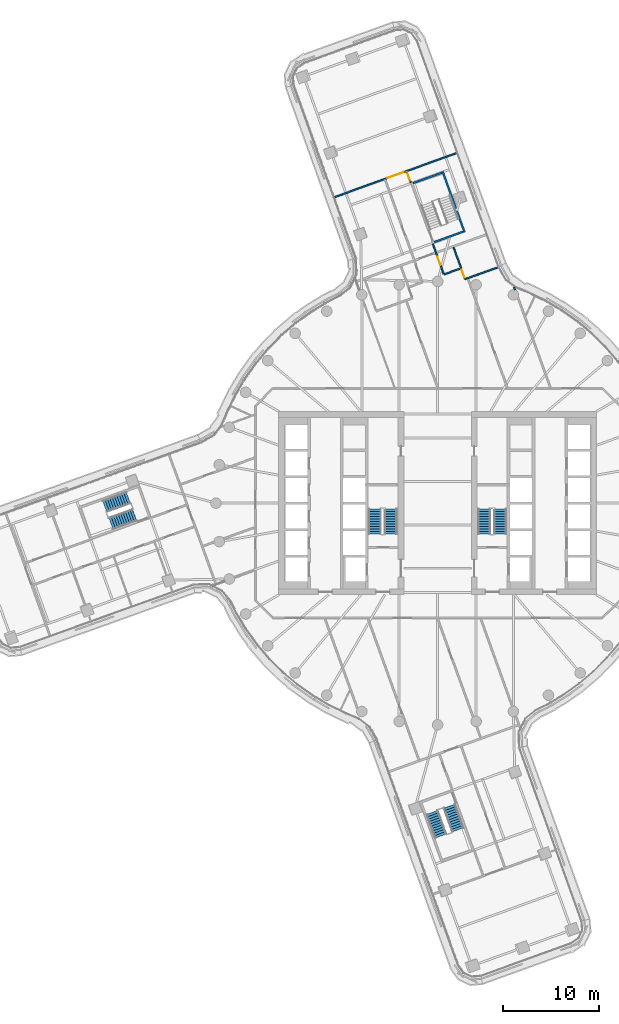
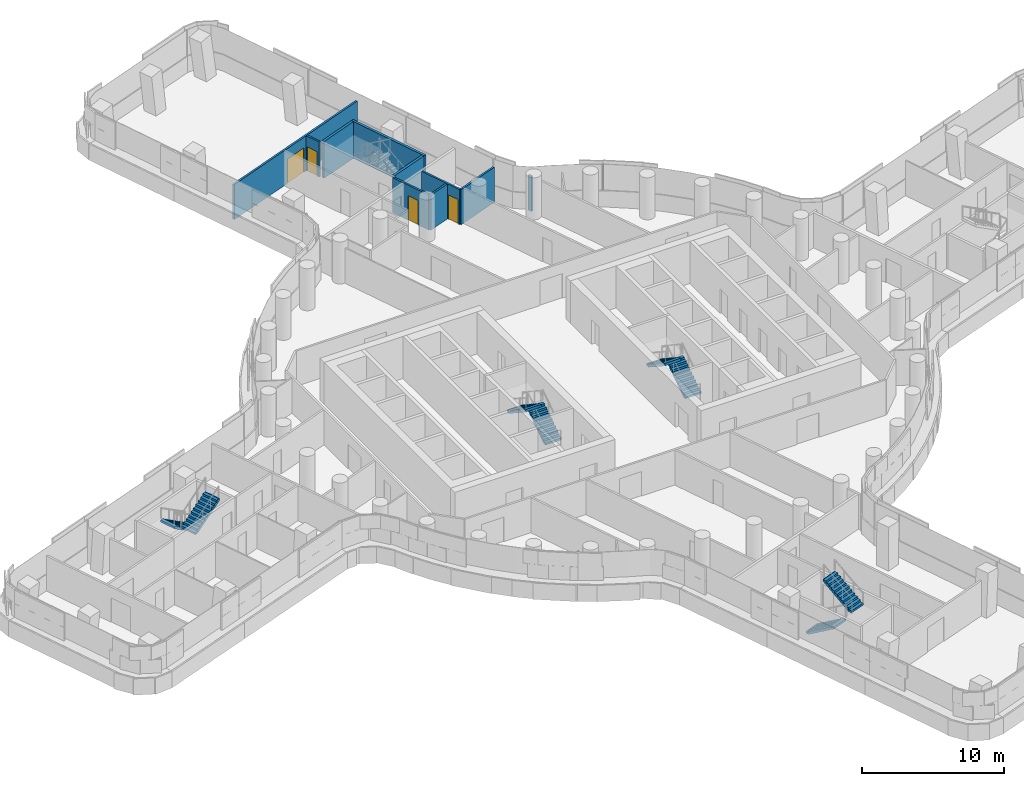
# One storey, part 22 of 30: 10 walls, 8 stair flights, 4 doors, 4 openings, 4 elements without a shape of their own.
"""IFC4 building model written with IfcOpenShell, lengths in metres."""

from ifc_helpers import new_model, si_unit, direction, frame, frame_2d, origin, place, context, subcontext, project, spatial, polyline, rectangle, outline, extrude, material, layer, layer_set, type_object, element, fill, aggregate, save


model = new_model("IFC4")

# Units and contexts
model_context = context("Model", 3, precision=1e-05, world=origin(), true_north=direction((0.0, 1.0)))
body_context = subcontext(model_context, "Body", "Model", "MODEL_VIEW")
ifc_project = project(units=[si_unit("LENGTHUNIT", "METRE"), si_unit("AREAUNIT", "SQUARE_METRE"), si_unit("VOLUMEUNIT", "CUBIC_METRE"), si_unit("PLANEANGLEUNIT", "RADIAN"), si_unit("MASSUNIT", "GRAM", prefix="KILO")], contexts=[model_context])

# Site, building, storey
site_placement = place(None, origin())
site = spatial("IfcSite", under=ifc_project, at=site_placement, CompositionType="ELEMENT")
building_placement = place(site_placement, origin())
building = spatial("IfcBuilding", under=site, at=building_placement, Name="Tamarind Cross Interchange Tower", CompositionType="ELEMENT")
storey_placement = place(building_placement, frame((0.0, 0.0, 106.0)))
storey = spatial("IfcBuildingStorey", under=building, at=storey_placement, Name="L25", CompositionType="ELEMENT", Elevation=106.0)

# Wall, opening, door
ifc_material_1 = material(Name="Gypsum board partition on steel studs", Category="steel")
ifc_layer_1 = layer(ifc_material_1, 0.14990234375)
ifc_layer_set_1 = layer_set([ifc_layer_1], Name="Gypsum board partition on steel studs")
wall_type_1 = type_object("IfcWallType", Name="Partition 150 mm EI 120", PredefinedType="PARTITIONING", material=ifc_layer_set_1)
wall_1_placement = place(storey_placement, frame((-3.19091796875, 34.371826171875, 0.0), z_axis=(0.0, 0.0, 1.0), x_axis=(0.339583478556, -0.940575919898, 0.0)))
wall_1 = element("IfcWall", 1, at=wall_1_placement, inside=storey, type_object=wall_type_1, Name="Partition L25-018", PredefinedType="PARTITIONING", context=body_context, shape_type="SweptSolid", body=[
    extrude(rectangle(XDim=1.180419921875, YDim=0.14990234375, at=frame_2d((0.59033203125, 0.0))), origin(), (0.0, 0.0, 1.0), 3.010009765625),
])
opening_1_placement = place(wall_1_placement, frame((0.070068359375, 0.0, 0.0)))
opening_1 = element("IfcOpeningElement", 2, at=opening_1_placement, cuts=wall_1, Name="Opening D08", PredefinedType="OPENING", context=body_context, shape_type="SweptSolid", body=[
    extrude(rectangle(XDim=0.89990234375, YDim=2.10009765625, at=frame_2d((0.449951171875, 1.050048828125))), frame((0.0, 0.0849609375, 0.0), z_axis=(0.0, -1.0, 0.0), x_axis=(1.0, 0.0, 0.0)), (0.0, 0.0, 1.0), 0.169921875),
])
ifc_material_2 = material(Name="Fire-resisting door set")
door_type_1 = type_object("IfcDoorType", Name="Interior door 900 x 2100 FD60S", OperationType="SINGLE_SWING_LEFT", PredefinedType="DOOR", material=ifc_material_2)
door_1_placement = place(opening_1_placement, origin())
door_1 = element("IfcDoor", 3, at=door_1_placement, inside=storey, type_object=door_type_1, Name="Door D08", OperationType="SINGLE_SWING_RIGHT", OverallHeight=2.10009765625, OverallWidth=0.89990234375, PredefinedType="DOOR", context=body_context, shape_type="SweptSolid", body=[
    extrude(rectangle(XDim=0.89990234375, YDim=2.10009765625, at=frame_2d((0.449951171875, 1.050048828125))), frame((0.0, 0.02490234375, 0.0), z_axis=(0.0, -1.0, 0.0), x_axis=(1.0, 0.0, 0.0)), (0.0, 0.0, 1.0), 0.050048828125),
])
fill(opening_1, door_1)

wall_2_placement = place(storey_placement, frame((-0.48779296875, 26.884033203125, 0.0), z_axis=(0.0, 0.0, 1.0), x_axis=(0.339611586075, -0.940565771546, 0.0)))
wall_2 = element("IfcWall", 4, at=wall_2_placement, inside=storey, type_object=wall_type_1, Name="Partition L25-019", PredefinedType="PARTITIONING", context=body_context, shape_type="SweptSolid", body=[
    extrude(rectangle(XDim=3.28466796875, YDim=0.14990234375, at=frame_2d((1.642333984375, 0.0))), origin(), (0.0, 0.0, 1.0), 3.010009765625),
])
opening_2_placement = place(wall_2_placement, frame((1.4091796875, 0.0, 0.0)))
opening_2 = element("IfcOpeningElement", 5, at=opening_2_placement, cuts=wall_2, Name="Opening D09", PredefinedType="OPENING", context=body_context, shape_type="SweptSolid", body=[
    extrude(rectangle(XDim=0.89990234375, YDim=2.10009765625, at=frame_2d((0.449951171875, 1.050048828125))), frame((0.0, 0.0849609375, 0.0), z_axis=(0.0, -1.0, 0.0), x_axis=(1.0, 0.0, 0.0)), (0.0, 0.0, 1.0), 0.169921875),
])
door_2_placement = place(opening_2_placement, origin())
door_2 = element("IfcDoor", 6, at=door_2_placement, inside=storey, type_object=door_type_1, Name="Door D09", OperationType="SINGLE_SWING_LEFT", OverallHeight=2.10009765625, OverallWidth=0.89990234375, PredefinedType="DOOR", context=body_context, shape_type="SweptSolid", body=[
    extrude(rectangle(XDim=0.89990234375, YDim=2.10009765625, at=frame_2d((0.449951171875, 1.050048828125))), frame((0.0, 0.02490234375, 0.0), z_axis=(0.0, -1.0, 0.0), x_axis=(1.0, 0.0, 0.0)), (0.0, 0.0, 1.0), 0.050048828125),
])
fill(opening_2, door_2)

wall_3_placement = place(storey_placement, frame((1.658935546875, 26.532958984375, 0.0), z_axis=(0.0, 0.0, 1.0), x_axis=(0.339618604602, -0.940563237326, 0.0)))
wall_3 = element("IfcWall", 7, at=wall_3_placement, inside=storey, type_object=wall_type_1, Name="Partition L25-024", PredefinedType="PARTITIONING", context=body_context, shape_type="SweptSolid", body=[
    extrude(rectangle(XDim=3.47998046875, YDim=0.14990234375, at=frame_2d((1.739990234375, 0.0))), origin(), (0.0, 0.0, 1.0), 3.010009765625),
])
opening_3_placement = place(wall_3_placement, frame((2.44970703125, 0.0, 0.0)))
opening_3 = element("IfcOpeningElement", 8, at=opening_3_placement, cuts=wall_3, Name="Opening D12", PredefinedType="OPENING", context=body_context, shape_type="SweptSolid", body=[
    extrude(rectangle(XDim=0.89990234375, YDim=2.10009765625, at=frame_2d((0.449951171875, 1.050048828125))), frame((0.0, 0.0849609375, 0.0), z_axis=(0.0, -1.0, 0.0), x_axis=(1.0, 0.0, 0.0)), (0.0, 0.0, 1.0), 0.169921875),
])
door_3_placement = place(opening_3_placement, origin())
door_3 = element("IfcDoor", 9, at=door_3_placement, inside=storey, type_object=door_type_1, Name="Door D12", OperationType="SINGLE_SWING_LEFT", OverallHeight=2.10009765625, OverallWidth=0.89990234375, PredefinedType="DOOR", context=body_context, shape_type="SweptSolid", body=[
    extrude(rectangle(XDim=0.89990234375, YDim=2.10009765625, at=frame_2d((0.449951171875, 1.050048828125))), frame((0.0, 0.02490234375, 0.0), z_axis=(0.0, -1.0, 0.0), x_axis=(1.0, 0.0, 0.0)), (0.0, 0.0, 1.0), 0.050048828125),
])
fill(opening_3, door_3)

# Wall
wall_4_placement = place(storey_placement, frame((7.93017578125, 22.41455078125, 0.0), z_axis=(0.0, 0.0, 1.0), x_axis=(0.339939970845, -0.940447136325, 0.0)))
element("IfcWall", 10, at=wall_4_placement, inside=storey, type_object=wall_type_1, Name="Partition L25-029", PredefinedType="PARTITIONING", context=body_context, shape_type="SweptSolid", body=[
    extrude(rectangle(XDim=0.304443359375, YDim=0.14990234375, at=frame_2d((0.15234375, 0.0))), origin(), (0.0, 0.0, 1.0), 3.010009765625),
])

# Wall, opening, door
wall_5_placement = place(storey_placement, frame((-10.66552734375, 31.75830078125, 0.0), z_axis=(0.0, 0.0, 1.0), x_axis=(0.940584090627, 0.339560846476, 0.0)))
wall_5 = element("IfcWall", 11, at=wall_5_placement, inside=storey, type_object=wall_type_1, Name="Partition L25-052", PredefinedType="PARTITIONING", context=body_context, shape_type="SweptSolid", body=[
    extrude(rectangle(XDim=13.4169921875, YDim=0.14990234375, at=frame_2d((6.70849609375, 0.0))), origin(), (0.0, 0.0, 1.0), 3.010009765625),
])
opening_4_placement = place(wall_5_placement, frame((5.818359375, 0.0, 0.0)))
opening_4 = element("IfcOpeningElement", 12, at=opening_4_placement, cuts=wall_5, Name="Opening D30", PredefinedType="OPENING", context=body_context, shape_type="SweptSolid", body=[
    extrude(rectangle(XDim=1.800048828125, YDim=2.10009765625, at=frame_2d((0.89990234375, 1.050048828125))), frame((0.0, 0.0849609375, 0.0), z_axis=(0.0, -1.0, 0.0), x_axis=(1.0, 0.0, 0.0)), (0.0, 0.0, 1.0), 0.169921875),
])
door_type_2 = type_object("IfcDoorType", Name="Interior door 1800 x 2100 FD60S", OperationType="DOUBLE_DOOR_SINGLE_SWING", PredefinedType="DOOR", material=ifc_material_2)
door_4_placement = place(opening_4_placement, origin())
door_4 = element("IfcDoor", 13, at=door_4_placement, inside=storey, type_object=door_type_2, Name="Door D30", OperationType="DOUBLE_DOOR_SINGLE_SWING", OverallHeight=2.10009765625, OverallWidth=1.800048828125, PredefinedType="DOOR", context=body_context, shape_type="SweptSolid", body=[
    extrude(rectangle(XDim=1.800048828125, YDim=2.10009765625, at=frame_2d((0.89990234375, 1.050048828125))), frame((0.0, 0.02490234375, 0.0), z_axis=(0.0, -1.0, 0.0), x_axis=(1.0, 0.0, 0.0)), (0.0, 0.0, 1.0), 0.050048828125),
])
fill(opening_4, door_4)

# Walls
wall_6_placement = place(storey_placement, frame((2.8486328125, 23.2392578125, 0.0), z_axis=(0.0, 0.0, 1.0), x_axis=(0.940644601106, 0.339393185569, 0.0)))
element("IfcWall", 14, at=wall_6_placement, inside=storey, type_object=wall_type_1, Name="Partition L25-055", PredefinedType="PARTITIONING", context=body_context, shape_type="SweptSolid", body=[
    extrude(rectangle(XDim=3.60546875, YDim=0.14990234375, at=frame_2d((1.802734375, 0.0))), origin(), (0.0, 0.0, 1.0), 3.010009765625),
])
wall_7_placement = place(storey_placement, frame((0.6533203125, 23.723388671875, 0.0), z_axis=(0.0, 0.0, 1.0), x_axis=(0.940696265355, 0.339249961454, 0.0)))
element("IfcWall", 15, at=wall_7_placement, inside=storey, type_object=wall_type_1, Name="Partition L25-058", PredefinedType="PARTITIONING", context=body_context, shape_type="SweptSolid", body=[
    extrude(rectangle(XDim=1.824951171875, YDim=0.14990234375, at=frame_2d((0.91259765625, 0.0))), origin(), (0.0, 0.0, 1.0), 3.010009765625),
])
ifc_material_3 = material(Name="Concrete C40", Category="concrete")
ifc_layer_2 = layer(ifc_material_3, 0.199951171875)
ifc_layer_set_2 = layer_set([ifc_layer_2], Name="Concrete C40")
wall_type_2 = type_object("IfcWallType", Name="Stair shaft wall 200 mm Concrete C40", PredefinedType="SHEAR", material=ifc_layer_set_2)
wall_8_placement = place(storey_placement, frame((2.790771484375, 28.11083984375, -0.139892578125), z_axis=(0.0, 0.0, 1.0), x_axis=(-0.339579991126, 0.940577178985, 0.0)))
element("IfcWall", 16, at=wall_8_placement, inside=storey, type_object=wall_type_2, Name="Core wall CWL-L25-ST4-C", PredefinedType="SHEAR", context=body_context, shape_type="SweptSolid", body=[
    extrude(rectangle(XDim=6.699951171875, YDim=0.199951171875, at=frame_2d((3.35009765625, 0.0))), origin(), (0.0, 0.0, 1.0), 3.14990234375),
])
wall_9_placement = place(storey_placement, frame((2.66259765625, 28.1708984375, -0.139892578125), z_axis=(0.0, 0.0, 1.0), x_axis=(-0.940572854963, -0.33959196767, 0.0)))
element("IfcWall", 17, at=wall_9_placement, inside=storey, type_object=wall_type_2, Name="Core wall CWL-L25-ST4-CE", PredefinedType="SHEAR", context=body_context, shape_type="SweptSolid", body=[
    extrude(rectangle(XDim=3.199951171875, YDim=0.199951171875, at=frame_2d((1.60009765625, 0.0))), origin(), (0.0, 0.0, 1.0), 3.14990234375),
])
wall_10_placement = place(storey_placement, frame((0.0, 0.0, -0.139892578125)))
element("IfcWall", 18, at=wall_10_placement, inside=storey, type_object=wall_type_2, Name="Core wall CWL-L25-ST4-CF", PredefinedType="SHEAR", context=body_context, shape_type="SweptSolid", body=[
    extrude(outline(polyline([(0.489501953125, 34.190673828125), (0.42138671875, 34.378662109375), (-2.58837890625, 33.2919921875), (-2.5205078125, 33.10400390625), (0.489501953125, 34.190673828125)])), origin(), (0.0, 0.0, 1.0), 3.14990234375),
])

# Stair, stair flights
ifc_material_4 = material(Name="Exit stair")
stair_type = type_object("IfcStairType", Name="Exit stair", PredefinedType="HALF_TURN_STAIR", material=ifc_material_4)
stair_1_placement = place(storey_placement, origin())
stair_1 = element("IfcStair", 19, at=stair_1_placement, inside=storey, type_object=stair_type, Name="L25 exit stair ST1", PredefinedType="HALF_TURN_STAIR")
ifc_material_5 = material(Name="Exit stair flight")
stair_flight_type = type_object("IfcStairFlightType", Name="Exit stair flight", PredefinedType="STRAIGHT", material=ifc_material_5)
stair_flight_1_placement = place(storey_placement, frame((-4.85009765625, -3.199951171875, 0.0), z_axis=(0.0, 0.0, 1.0), x_axis=(0.0, 1.0, 0.0)))
stair_flight_1 = element("IfcStairFlight", 20, at=stair_flight_1_placement, type_object=stair_flight_type, Name="ST1 flight 1", NumberOfRisers=11, NumberOfTreads=10, PredefinedType="STRAIGHT", RiserHeight=0.170454545, TreadLength=0.26, context=body_context, shape_type="SweptSolid", body=[
    extrude(outline(polyline([(0.0, 0.0), (0.0, 0.17041015625), (0.260009765625, 0.17041015625), (0.260009765625, 0.3408203125), (0.52001953125, 0.3408203125), (0.52001953125, 0.511474609375), (0.780029296875, 0.511474609375), (0.780029296875, 0.681884765625), (1.0400390625, 0.681884765625), (1.0400390625, 0.852294921875), (1.300048828125, 0.852294921875), (1.300048828125, 1.022705078125), (1.56005859375, 1.022705078125), (1.56005859375, 1.193115234375), (1.820068359375, 1.193115234375), (1.820068359375, 1.363525390625), (2.080078125, 1.363525390625), (2.080078125, 1.5341796875), (2.340087890625, 1.5341796875), (2.340087890625, 1.70458984375), (2.60009765625, 1.70458984375), (2.60009765625, 1.875), (2.60009765625, 1.525390625), (0.2734375, 0.0), (0.0, 0.0)])), frame((0.0, 0.64990234375, 0.0), z_axis=(0.0, -1.0, 0.0), x_axis=(1.0, 0.0, 0.0)), (0.0, 0.0, 1.0), 1.300048828125),
])
stair_flight_2_placement = place(storey_placement, frame((-6.5, -0.60009765625, 1.875), z_axis=(0.0, 0.0, 1.0), x_axis=(0.0, -1.0, 0.0)))
stair_flight_2 = element("IfcStairFlight", 21, at=stair_flight_2_placement, type_object=stair_flight_type, Name="ST1 flight 2", NumberOfRisers=11, NumberOfTreads=10, PredefinedType="STRAIGHT", RiserHeight=0.170454545, TreadLength=0.26, context=body_context, shape_type="SweptSolid", body=[
    extrude(outline(polyline([(0.0, 0.0), (0.0, 0.17041015625), (0.260009765625, 0.17041015625), (0.260009765625, 0.3408203125), (0.52001953125, 0.3408203125), (0.52001953125, 0.511474609375), (0.780029296875, 0.511474609375), (0.780029296875, 0.681884765625), (1.0400390625, 0.681884765625), (1.0400390625, 0.852294921875), (1.300048828125, 0.852294921875), (1.300048828125, 1.022705078125), (1.56005859375, 1.022705078125), (1.56005859375, 1.193115234375), (1.820068359375, 1.193115234375), (1.820068359375, 1.363525390625), (2.080078125, 1.363525390625), (2.080078125, 1.5341796875), (2.340087890625, 1.5341796875), (2.340087890625, 1.70458984375), (2.60009765625, 1.70458984375), (2.60009765625, 1.7548828125), (2.612060546875, 1.7548828125), (2.612060546875, 1.533203125), (0.2734375, 0.0), (0.0, 0.0)])), frame((0.0, 0.64990234375, 0.0), z_axis=(0.0, -1.0, 0.0), x_axis=(1.0, 0.0, 0.0)), (0.0, 0.0, 1.0), 1.300048828125),
])
aggregate(stair_1, [stair_flight_1, stair_flight_2])

stair_2_placement = place(storey_placement, origin())
stair_2 = element("IfcStair", 22, at=stair_2_placement, inside=storey, type_object=stair_type, Name="L25 exit stair ST2", PredefinedType="HALF_TURN_STAIR")
stair_flight_3_placement = place(storey_placement, frame((6.5, -3.199951171875, 0.0), z_axis=(0.0, 0.0, 1.0), x_axis=(0.0, 1.0, 0.0)))
stair_flight_3 = element("IfcStairFlight", 23, at=stair_flight_3_placement, type_object=stair_flight_type, Name="ST2 flight 1", NumberOfRisers=11, NumberOfTreads=10, PredefinedType="STRAIGHT", RiserHeight=0.170454545, TreadLength=0.26, context=body_context, shape_type="SweptSolid", body=[
    extrude(outline(polyline([(0.0, 0.0), (0.0, 0.17041015625), (0.260009765625, 0.17041015625), (0.260009765625, 0.3408203125), (0.52001953125, 0.3408203125), (0.52001953125, 0.511474609375), (0.780029296875, 0.511474609375), (0.780029296875, 0.681884765625), (1.0400390625, 0.681884765625), (1.0400390625, 0.852294921875), (1.300048828125, 0.852294921875), (1.300048828125, 1.022705078125), (1.56005859375, 1.022705078125), (1.56005859375, 1.193115234375), (1.820068359375, 1.193115234375), (1.820068359375, 1.363525390625), (2.080078125, 1.363525390625), (2.080078125, 1.5341796875), (2.340087890625, 1.5341796875), (2.340087890625, 1.70458984375), (2.60009765625, 1.70458984375), (2.60009765625, 1.875), (2.60009765625, 1.525390625), (0.2734375, 0.0), (0.0, 0.0)])), frame((0.0, 0.64990234375, 0.0), z_axis=(0.0, -1.0, 0.0), x_axis=(1.0, 0.0, 0.0)), (0.0, 0.0, 1.0), 1.300048828125),
])
stair_flight_4_placement = place(storey_placement, frame((4.85009765625, -0.60009765625, 1.875), z_axis=(0.0, 0.0, 1.0), x_axis=(0.0, -1.0, 0.0)))
stair_flight_4 = element("IfcStairFlight", 24, at=stair_flight_4_placement, type_object=stair_flight_type, Name="ST2 flight 2", NumberOfRisers=11, NumberOfTreads=10, PredefinedType="STRAIGHT", RiserHeight=0.170454545, TreadLength=0.26, context=body_context, shape_type="SweptSolid", body=[
    extrude(outline(polyline([(0.0, 0.0), (0.0, 0.17041015625), (0.260009765625, 0.17041015625), (0.260009765625, 0.3408203125), (0.52001953125, 0.3408203125), (0.52001953125, 0.511474609375), (0.780029296875, 0.511474609375), (0.780029296875, 0.681884765625), (1.0400390625, 0.681884765625), (1.0400390625, 0.852294921875), (1.300048828125, 0.852294921875), (1.300048828125, 1.022705078125), (1.56005859375, 1.022705078125), (1.56005859375, 1.193115234375), (1.820068359375, 1.193115234375), (1.820068359375, 1.363525390625), (2.080078125, 1.363525390625), (2.080078125, 1.5341796875), (2.340087890625, 1.5341796875), (2.340087890625, 1.70458984375), (2.60009765625, 1.70458984375), (2.60009765625, 1.7548828125), (2.612060546875, 1.7548828125), (2.612060546875, 1.533203125), (0.2734375, 0.0), (0.0, 0.0)])), frame((0.0, 0.64990234375, 0.0), z_axis=(0.0, -1.0, 0.0), x_axis=(1.0, 0.0, 0.0)), (0.0, 0.0, 1.0), 1.300048828125),
])
aggregate(stair_2, [stair_flight_3, stair_flight_4])

stair_3_placement = place(storey_placement, origin())
stair_3 = element("IfcStair", 25, at=stair_3_placement, inside=storey, type_object=stair_type, Name="L25 exit stair ST5", PredefinedType="HALF_TURN_STAIR")
stair_flight_5_placement = place(storey_placement, frame((-32.088623046875, 0.55712890625, 0.0), z_axis=(0.0, 0.0, 1.0), x_axis=(-0.94057769422, -0.339578564011, 0.0)))
stair_flight_5 = element("IfcStairFlight", 26, at=stair_flight_5_placement, type_object=stair_flight_type, Name="ST5 flight 1", NumberOfRisers=11, NumberOfTreads=10, PredefinedType="STRAIGHT", RiserHeight=0.170454545, TreadLength=0.26, context=body_context, shape_type="SweptSolid", body=[
    extrude(outline(polyline([(0.0, 0.0), (0.0, 0.17041015625), (0.260009765625, 0.17041015625), (0.260009765625, 0.3408203125), (0.52001953125, 0.3408203125), (0.52001953125, 0.511474609375), (0.780029296875, 0.511474609375), (0.780029296875, 0.681884765625), (1.0400390625, 0.681884765625), (1.0400390625, 0.852294921875), (1.300048828125, 0.852294921875), (1.300048828125, 1.022705078125), (1.56005859375, 1.022705078125), (1.56005859375, 1.193115234375), (1.820068359375, 1.193115234375), (1.820068359375, 1.363525390625), (2.080078125, 1.363525390625), (2.080078125, 1.5341796875), (2.340087890625, 1.5341796875), (2.340087890625, 1.70458984375), (2.60009765625, 1.70458984375), (2.60009765625, 1.875), (2.60009765625, 1.525390625), (0.2734375, 0.0), (0.0, 0.0)])), frame((0.0, 0.64990234375, 0.0), z_axis=(0.0, -1.0, 0.0), x_axis=(1.0, 0.0, 0.0)), (0.0, 0.0, 1.0), 1.300048828125),
])
stair_flight_6_placement = place(storey_placement, frame((-33.888916015625, -2.11279296875, 1.875), z_axis=(0.0, 0.0, 1.0), x_axis=(0.94057769422, 0.339578564011, 0.0)))
stair_flight_6 = element("IfcStairFlight", 27, at=stair_flight_6_placement, type_object=stair_flight_type, Name="ST5 flight 2", NumberOfRisers=11, NumberOfTreads=10, PredefinedType="STRAIGHT", RiserHeight=0.170454545, TreadLength=0.26, context=body_context, shape_type="SweptSolid", body=[
    extrude(outline(polyline([(0.0, 0.0), (0.0, 0.17041015625), (0.260009765625, 0.17041015625), (0.260009765625, 0.3408203125), (0.52001953125, 0.3408203125), (0.52001953125, 0.511474609375), (0.780029296875, 0.511474609375), (0.780029296875, 0.681884765625), (1.0400390625, 0.681884765625), (1.0400390625, 0.852294921875), (1.300048828125, 0.852294921875), (1.300048828125, 1.022705078125), (1.56005859375, 1.022705078125), (1.56005859375, 1.193115234375), (1.820068359375, 1.193115234375), (1.820068359375, 1.363525390625), (2.080078125, 1.363525390625), (2.080078125, 1.5341796875), (2.340087890625, 1.5341796875), (2.340087890625, 1.70458984375), (2.60009765625, 1.70458984375), (2.60009765625, 1.7548828125), (2.612060546875, 1.7548828125), (2.612060546875, 1.533203125), (0.2734375, 0.0), (0.0, 0.0)])), frame((0.0, 0.64990234375, 0.0), z_axis=(0.0, -1.0, 0.0), x_axis=(1.0, 0.0, 0.0)), (0.0, 0.0, 1.0), 1.300048828125),
])
aggregate(stair_3, [stair_flight_5, stair_flight_6])

stair_4_placement = place(storey_placement, origin())
stair_4 = element("IfcStair", 28, at=stair_4_placement, inside=storey, type_object=stair_type, Name="L25 exit stair ST6", PredefinedType="HALF_TURN_STAIR")
stair_flight_7_placement = place(storey_placement, frame((-0.55712890625, -32.088623046875, 0.0), z_axis=(0.0, 0.0, 1.0), x_axis=(0.339578564011, -0.94057769422, 0.0)))
stair_flight_7 = element("IfcStairFlight", 29, at=stair_flight_7_placement, type_object=stair_flight_type, Name="ST6 flight 1", NumberOfRisers=11, NumberOfTreads=10, PredefinedType="STRAIGHT", RiserHeight=0.170454545, TreadLength=0.26, context=body_context, shape_type="SweptSolid", body=[
    extrude(outline(polyline([(0.0, 0.0), (0.0, 0.17041015625), (0.260009765625, 0.17041015625), (0.260009765625, 0.3408203125), (0.52001953125, 0.3408203125), (0.52001953125, 0.511474609375), (0.780029296875, 0.511474609375), (0.780029296875, 0.681884765625), (1.0400390625, 0.681884765625), (1.0400390625, 0.852294921875), (1.300048828125, 0.852294921875), (1.300048828125, 1.022705078125), (1.56005859375, 1.022705078125), (1.56005859375, 1.193115234375), (1.820068359375, 1.193115234375), (1.820068359375, 1.363525390625), (2.080078125, 1.363525390625), (2.080078125, 1.5341796875), (2.340087890625, 1.5341796875), (2.340087890625, 1.70458984375), (2.60009765625, 1.70458984375), (2.60009765625, 1.875), (2.60009765625, 1.525390625), (0.2734375, 0.0), (0.0, 0.0)])), frame((0.0, 0.64990234375, 0.0), z_axis=(0.0, -1.0, 0.0), x_axis=(1.0, 0.0, 0.0)), (0.0, 0.0, 1.0), 1.300048828125),
])
stair_flight_8_placement = place(storey_placement, frame((2.11279296875, -33.888916015625, 1.875), z_axis=(0.0, 0.0, 1.0), x_axis=(-0.339578564011, 0.94057769422, 0.0)))
stair_flight_8 = element("IfcStairFlight", 30, at=stair_flight_8_placement, type_object=stair_flight_type, Name="ST6 flight 2", NumberOfRisers=11, NumberOfTreads=10, PredefinedType="STRAIGHT", RiserHeight=0.170454545, TreadLength=0.26, context=body_context, shape_type="SweptSolid", body=[
    extrude(outline(polyline([(0.0, 0.0), (0.0, 0.17041015625), (0.260009765625, 0.17041015625), (0.260009765625, 0.3408203125), (0.52001953125, 0.3408203125), (0.52001953125, 0.511474609375), (0.780029296875, 0.511474609375), (0.780029296875, 0.681884765625), (1.0400390625, 0.681884765625), (1.0400390625, 0.852294921875), (1.300048828125, 0.852294921875), (1.300048828125, 1.022705078125), (1.56005859375, 1.022705078125), (1.56005859375, 1.193115234375), (1.820068359375, 1.193115234375), (1.820068359375, 1.363525390625), (2.080078125, 1.363525390625), (2.080078125, 1.5341796875), (2.340087890625, 1.5341796875), (2.340087890625, 1.70458984375), (2.60009765625, 1.70458984375), (2.60009765625, 1.7548828125), (2.612060546875, 1.7548828125), (2.612060546875, 1.533203125), (0.2734375, 0.0), (0.0, 0.0)])), frame((0.0, 0.64990234375, 0.0), z_axis=(0.0, -1.0, 0.0), x_axis=(1.0, 0.0, 0.0)), (0.0, 0.0, 1.0), 1.300048828125),
])
aggregate(stair_4, [stair_flight_7, stair_flight_8])

save(model, "model.ifc")
